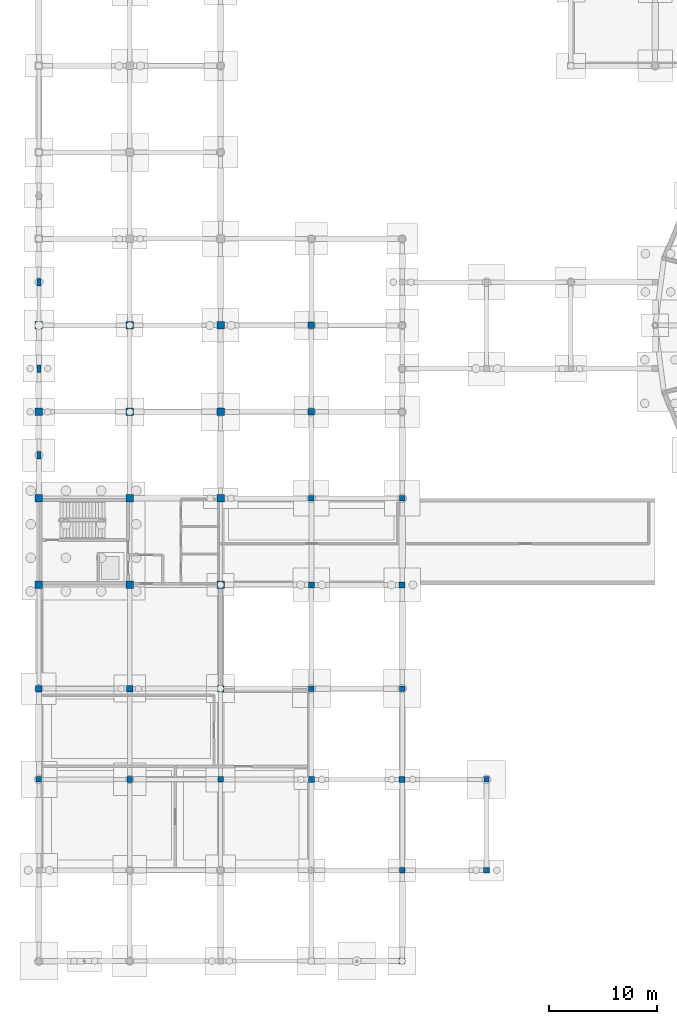
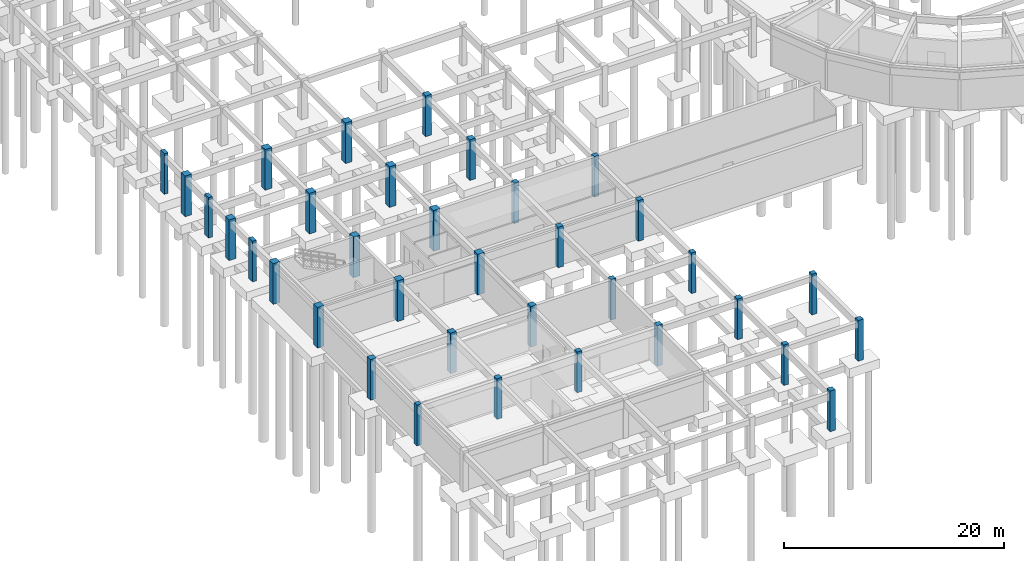
# One storey, part 10 of 43: 35 columns.
"""IFC4 building model written with IfcOpenShell, lengths in metres."""

from ifc_helpers import new_model, si_unit, derived_unit, direction, frame, origin, origin_2d, place, context, subcontext, project, spatial, rectangle, extrude, material, material_profile, profile_set, type_object, element, save


model = new_model("IFC4")

# Units and contexts
model_context = context("Model", 3, precision=1e-05, world=origin(), true_north=direction((0.0, 1.0)))
body_context = subcontext(model_context, "Body", "Model", "MODEL_VIEW")
ifc_project = project(units=[si_unit("LENGTHUNIT", "METRE"), si_unit("AREAUNIT", "SQUARE_METRE"), si_unit("VOLUMEUNIT", "CUBIC_METRE"), si_unit("PLANEANGLEUNIT", "RADIAN"), si_unit("MASSUNIT", "GRAM", prefix="KILO"), derived_unit("THERMALTRANSMITTANCEUNIT", [(si_unit("POWERUNIT", "WATT"), 1), (si_unit("AREAUNIT", "SQUARE_METRE"), -1), (si_unit("THERMODYNAMICTEMPERATUREUNIT", "KELVIN"), -1)])], contexts=[model_context])

# Site, building, storey
site_placement = place(None, origin())
site = spatial("IfcSite", under=ifc_project, at=site_placement, CompositionType="ELEMENT")
building_placement = place(site_placement, origin())
building = spatial("IfcBuilding", under=site, at=building_placement, Name="Yasenodar Specialist Clinic", CompositionType="ELEMENT")
storey_placement = place(building_placement, frame((0.0, 0.0, -4.5)))
storey = spatial("IfcBuildingStorey", under=building, at=storey_placement, Name="B1", CompositionType="ELEMENT", Elevation=-4.5)

# Columns
ifc_material = material(Name="Concrete C35/45", Category="concrete")
ifc_material_profile_1 = material_profile(ifc_material, rectangle(XDim=0.5, YDim=0.5, at=origin_2d()), Name="RC 500x500")
ifc_profile_set_1 = profile_set([ifc_material_profile_1], Name="Concrete C35/45")
column_type_1 = type_object("IfcColumnType", Name="COL-RC-500", PredefinedType="COLUMN", material=ifc_profile_set_1)
for number, where, z_axis, x_axis, name in (
    (1, (0.0, 16.800048828125, 0.0), (0.0, 0.0, 1.0), (1.0, 0.0, 0.0), "B1 Column V2-003"),
    (2, (16.800048828125, 16.800048828125, 0.0), (0.0, 0.0, 1.0), (1.0, 0.0, 0.0), "B1 Column V2-033"),
    (3, (25.199951171875, 25.199951171875, 0.0), (0.0, 0.0, 1.0), (1.0, 0.0, 0.0), "B1 Column V2-049"),
    (4, (25.199951171875, 42.800048828125, 0.0), (0.0, 0.0, 1.0), (1.0, 0.0, 0.0), "B1 Column V4-051"),
    (5, (33.60009765625, 8.39990234375, 0.0), (0.0, 0.0, 1.0), (1.0, 0.0, 0.0), "B1 Column V2-059"),
    (6, (33.60009765625, 25.199951171875, 0.0), (0.0, 0.0, 1.0), (1.0, 0.0, 0.0), "B1 Column V4-061"),
    (7, (33.60009765625, 42.800048828125, 0.0), (0.0, 0.0, 1.0), (1.0, 0.0, 0.0), "B1 Column V4-063"),
    (8, (41.39990234375, 16.800048828125, 0.0), (0.0, 0.0, 1.0), (1.0, 0.0, 0.0), "B1 Column V2-073"),
):
    element("IfcColumn", number, at=place(storey_placement, frame(where, z_axis=z_axis, x_axis=x_axis)), inside=storey, type_object=column_type_1, Name=name, PredefinedType="COLUMN", context=body_context, shape_type="SweptSolid", body=[
        extrude(rectangle(XDim=0.5, YDim=0.5, at=origin_2d()), origin(), (0.0, 0.0, 1.0), 4.5),
    ])
ifc_material_profile_2 = material_profile(ifc_material, rectangle(XDim=0.550048828125, YDim=0.550048828125, at=origin_2d()), Name="RC 550x550")
ifc_profile_set_2 = profile_set([ifc_material_profile_2], Name="Concrete C35/45")
column_type_2 = type_object("IfcColumnType", Name="COL-RC-550", PredefinedType="COLUMN", material=ifc_profile_set_2)
for number, where, z_axis, x_axis, name in (
    (9, (8.39990234375, 16.800048828125, 0.0), (0.0, 0.0, 1.0), (1.0, 0.0, 0.0), "B1 Column V2-018"),
    (10, (25.199951171875, 16.800048828125, 0.0), (0.0, 0.0, 1.0), (1.0, 0.0, 0.0), "B1 Column V2-048"),
    (11, (25.199951171875, 34.800048828125, 0.0), (0.0, 0.0, 1.0), (1.0, 0.0, 0.0), "B1 Column V4-050"),
    (12, (33.60009765625, 0.0, 0.0), (0.0, 0.0, 1.0), (1.0, 0.0, 0.0), "B1 Column V2-058"),
    (13, (33.60009765625, 16.800048828125, 0.0), (0.0, 0.0, 1.0), (1.0, 0.0, 0.0), "B1 Column V2-060"),
    (14, (33.60009765625, 34.800048828125, 0.0), (0.0, 0.0, 1.0), (1.0, 0.0, 0.0), "B1 Column V4-062"),
    (15, (41.39990234375, 8.39990234375, 0.0), (0.0, 0.0, 1.0), (1.0, 0.0, 0.0), "B1 Column V2-072"),
):
    element("IfcColumn", number, at=place(storey_placement, frame(where, z_axis=z_axis, x_axis=x_axis)), inside=storey, type_object=column_type_2, Name=name, PredefinedType="COLUMN", context=body_context, shape_type="SweptSolid", body=[
        extrude(rectangle(XDim=0.550048828125, YDim=0.550048828125, at=origin_2d()), origin(), (0.0, 0.0, 1.0), 4.5),
    ])
ifc_material_profile_3 = material_profile(ifc_material, rectangle(XDim=0.60009765625, YDim=0.60009765625, at=origin_2d()), Name="RC 600x600")
ifc_profile_set_3 = profile_set([ifc_material_profile_3], Name="Concrete C35/45")
column_type_3 = type_object("IfcColumnType", Name="COL-RC-600", PredefinedType="COLUMN", material=ifc_profile_set_3)
for number, where, z_axis, x_axis, name in (
    (16, (0.0, 25.199951171875, 0.0), (0.0, 0.0, 1.0), (1.0, 0.0, 0.0), "B1 Column V4-004"),
    (17, (8.39990234375, 25.199951171875, 0.0), (0.0, 0.0, 1.0), (1.0, 0.0, 0.0), "B1 Column V4-019"),
    (18, (16.800048828125, 25.199951171875, 0.0), (0.0, 0.0, 1.0), (1.0, 0.0, 0.0), "B1 Column V4-034"),
    (19, (25.199951171875, 50.800048828125, 0.0), (0.0, 0.0, 1.0), (1.0, 0.0, 0.0), "B1 Column V4-052"),
    (20, (25.199951171875, 58.800048828125, 0.0), (0.0, 0.0, 1.0), (1.0, 0.0, 0.0), "B1 Column V4-053"),
):
    element("IfcColumn", number, at=place(storey_placement, frame(where, z_axis=z_axis, x_axis=x_axis)), inside=storey, type_object=column_type_3, Name=name, PredefinedType="COLUMN", context=body_context, shape_type="SweptSolid", body=[
        extrude(rectangle(XDim=0.60009765625, YDim=0.60009765625, at=origin_2d()), origin(), (0.0, 0.0, 1.0), 4.5),
    ])
ifc_material_profile_4 = material_profile(ifc_material, rectangle(XDim=0.699951171875, YDim=0.699951171875, at=origin_2d()), Name="RC 700x700")
ifc_profile_set_4 = profile_set([ifc_material_profile_4], Name="Concrete C35/45")
column_type_4 = type_object("IfcColumnType", Name="COL-RC-700", PredefinedType="COLUMN", material=ifc_profile_set_4)
for number, where, z_axis, x_axis, name in (
    (21, (0.0, 34.800048828125, 0.0), (0.0, 0.0, 1.0), (1.0, 0.0, 0.0), "B1 Column V4-005"),
    (22, (0.0, 42.800048828125, 0.0), (0.0, 0.0, 1.0), (1.0, 0.0, 0.0), "B1 Column V4-006"),
    (23, (0.0, 50.800048828125, 0.0), (0.0, 0.0, 1.0), (1.0, 0.0, 0.0), "B1 Column V4-007"),
    (24, (0.0, 58.800048828125, 0.0), (0.0, 0.0, 1.0), (1.0, 0.0, 0.0), "B1 Column V4-008"),
    (25, (8.39990234375, 34.800048828125, 0.0), (0.0, 0.0, 1.0), (1.0, 0.0, 0.0), "B1 Column V4-020"),
    (26, (8.39990234375, 42.800048828125, 0.0), (0.0, 0.0, 1.0), (1.0, 0.0, 0.0), "B1 Column V4-021"),
    (27, (8.39990234375, 50.800048828125, 0.0), (0.0, 0.0, 1.0), (1.0, 0.0, 0.0), "B1 Column V4-022"),
    (28, (8.39990234375, 58.800048828125, 0.0), (0.0, 0.0, 1.0), (1.0, 0.0, 0.0), "B1 Column V4-023"),
    (29, (16.800048828125, 34.800048828125, 0.0), (0.0, 0.0, 1.0), (1.0, 0.0, 0.0), "B1 Column V4-035"),
    (30, (16.800048828125, 42.800048828125, 0.0), (0.0, 0.0, 1.0), (1.0, 0.0, 0.0), "B1 Column V4-036"),
    (31, (16.800048828125, 50.800048828125, 0.0), (0.0, 0.0, 1.0), (1.0, 0.0, 0.0), "B1 Column V4-037"),
    (32, (16.800048828125, 58.800048828125, 0.0), (0.0, 0.0, 1.0), (1.0, 0.0, 0.0), "B1 Column V4-038"),
):
    element("IfcColumn", number, at=place(storey_placement, frame(where, z_axis=z_axis, x_axis=x_axis)), inside=storey, type_object=column_type_4, Name=name, PredefinedType="COLUMN", context=body_context, shape_type="SweptSolid", body=[
        extrude(rectangle(XDim=0.699951171875, YDim=0.699951171875, at=origin_2d()), origin(), (0.0, 0.0, 1.0), 4.5),
    ])
ifc_material_profile_5 = material_profile(ifc_material, rectangle(XDim=0.39990234375, YDim=0.699951171875, at=origin_2d()), Name="RC 400x700")
ifc_profile_set_5 = profile_set([ifc_material_profile_5], Name="Concrete C35/45")
column_type_5 = type_object("IfcColumnType", Name="PIL-RC-400x700", PredefinedType="PILASTER", material=ifc_profile_set_5)
for number, where, z_axis, x_axis, name in (
    (33, (0.0, 46.800048828125, 0.0), (0.0, 0.0, 1.0), (1.0, 0.0, 0.0), "B1 Arcade Pilaster 01"),
    (34, (0.0, 54.800048828125, 0.0), (0.0, 0.0, 1.0), (1.0, 0.0, 0.0), "B1 Arcade Pilaster 02"),
    (35, (0.0, 62.800048828125, 0.0), (0.0, 0.0, 1.0), (1.0, 0.0, 0.0), "B1 Arcade Pilaster 03"),
):
    element("IfcColumn", number, at=place(storey_placement, frame(where, z_axis=z_axis, x_axis=x_axis)), inside=storey, type_object=column_type_5, Name=name, PredefinedType="PILASTER", context=body_context, shape_type="SweptSolid", body=[
        extrude(rectangle(XDim=0.39990234375, YDim=0.699951171875, at=origin_2d()), origin(), (0.0, 0.0, 1.0), 4.5),
    ])

save(model, "model.ifc")
